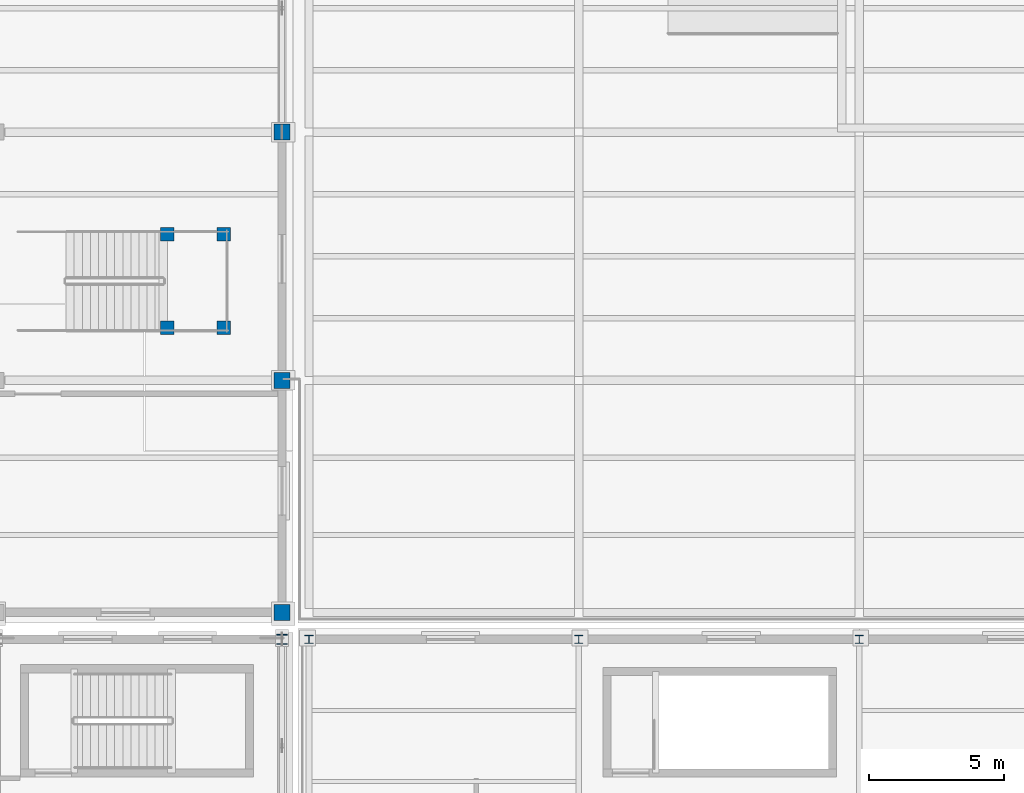
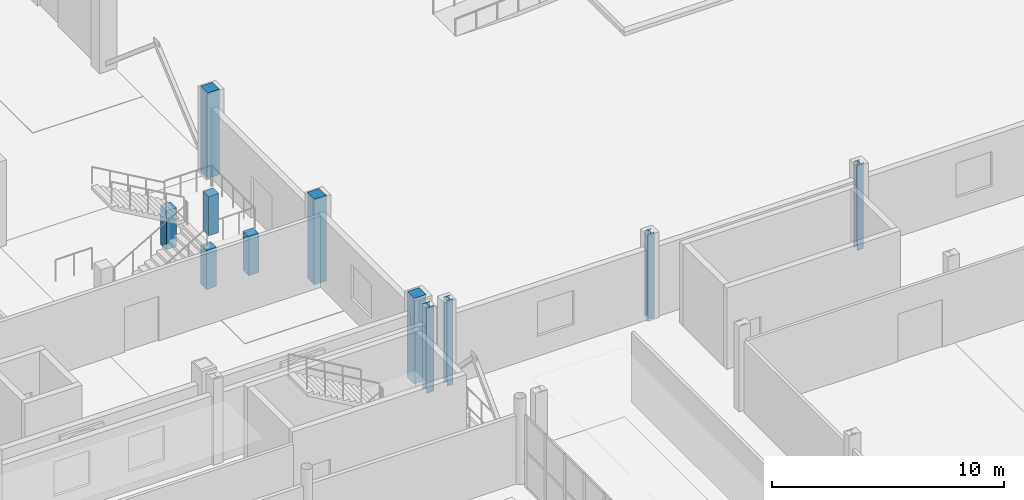
# One storey, part 14 of 156: 11 columns.
"""IFC4 building model written with IfcOpenShell, lengths in metres."""

from ifc_helpers import new_model, si_unit, direction, frame, origin, origin_2d, place, context, subcontext, project, spatial, rectangle, i_section, extrude, material, material_profile, profile_set, type_object, element, save


model = new_model("IFC4")

# Units and contexts
model_context = context("Model", 3, precision=1e-05, world=origin(), true_north=direction((0.0, 1.0)))
body_context = subcontext(model_context, "Body", "Model", "MODEL_VIEW")
ifc_project = project(units=[si_unit("LENGTHUNIT", "METRE"), si_unit("AREAUNIT", "SQUARE_METRE"), si_unit("VOLUMEUNIT", "CUBIC_METRE"), si_unit("PLANEANGLEUNIT", "RADIAN"), si_unit("MASSUNIT", "GRAM", prefix="KILO")], contexts=[model_context])

# Site, building, storey
site_placement = place(None, origin())
site = spatial("IfcSite", under=ifc_project, at=site_placement, CompositionType="ELEMENT")
building_placement = place(site_placement, origin())
building = spatial("IfcBuilding", under=site, at=building_placement, Name="Caurita Quay Ferry Terminal", CompositionType="ELEMENT")
storey_placement = place(building_placement, frame((0.0, 0.0, 5.39990234375)))
storey = spatial("IfcBuildingStorey", under=building, at=storey_placement, Name="L01", CompositionType="ELEMENT", Elevation=5.39990234375)

# Columns
ifc_material_1 = material(Name="Reinforced concrete C35/45", Category="concrete")
ifc_material_profile_1 = material_profile(ifc_material_1, rectangle(XDim=0.5, YDim=0.5, at=origin_2d()), Name="RC-COL-500X500")
ifc_profile_set_1 = profile_set([ifc_material_profile_1], Name="Reinforced concrete C35/45")
column_type_1 = type_object("IfcColumnType", Name="COL-RC-500", PredefinedType="COLUMN", material=ifc_profile_set_1)
for number, where, z_axis, x_axis, name in (
    (1, (127.550048828125, 82.14990234375, 0.0), (0.0, 0.0, 1.0), (1.0, 0.0, 0.0), "L01 Promenade Stair ST-13 Column SW"),
    (2, (127.550048828125, 85.610107421875, 0.0), (0.0, 0.0, 1.0), (1.0, 0.0, 0.0), "L01 Promenade Stair ST-13 Column NW"),
    (3, (129.64990234375, 82.14990234375, 0.0), (0.0, 0.0, 1.0), (1.0, 0.0, 0.0), "L01 Promenade Stair ST-13 Column SE"),
    (4, (129.64990234375, 85.610107421875, 0.0), (0.0, 0.0, 1.0), (1.0, 0.0, 0.0), "L01 Promenade Stair ST-13 Column NE"),
):
    element("IfcColumn", number, at=place(storey_placement, frame(where, z_axis=z_axis, x_axis=x_axis)), inside=storey, type_object=column_type_1, Name=name, PredefinedType="COLUMN", context=body_context, shape_type="SweptSolid", body=[
        extrude(rectangle(XDim=0.5, YDim=0.5, at=origin_2d()), origin(), (0.0, 0.0, 1.0), 2.050048828125),
    ])
ifc_material_profile_2 = material_profile(ifc_material_1, rectangle(XDim=0.60009765625, YDim=0.60009765625, at=origin_2d()), Name="RC-COL-600X600")
ifc_profile_set_2 = profile_set([ifc_material_profile_2], Name="Reinforced concrete C35/45")
column_type_2 = type_object("IfcColumnType", Name="COL-RC-600", PredefinedType="COLUMN", material=ifc_profile_set_2)
for number, where, z_axis, x_axis, name in (
    (5, (131.800048828125, 71.60009765625, 0.0), (0.0, 0.0, 1.0), (1.0, 0.0, 0.0), "L01 Column V4-14-L"),
    (6, (131.800048828125, 80.199951171875, 0.0), (0.0, 0.0, 1.0), (1.0, 0.0, 0.0), "L01 Column V4-14-M"),
    (7, (131.800048828125, 89.39990234375, 0.0), (0.0, 0.0, 1.0), (1.0, 0.0, 0.0), "L01 Column V4-14-N"),
):
    element("IfcColumn", number, at=place(storey_placement, frame(where, z_axis=z_axis, x_axis=x_axis)), inside=storey, type_object=column_type_2, Name=name, PredefinedType="COLUMN", context=body_context, shape_type="SweptSolid", body=[
        extrude(rectangle(XDim=0.60009765625, YDim=0.60009765625, at=origin_2d()), origin(), (0.0, 0.0, 1.0), 4.5),
    ])
ifc_material_2 = material(Name="Structural steel ASTM A992 Gr. 50", Category="steel")
ifc_material_profile_3 = material_profile(ifc_material_2, i_section(OverallWidth=0.373046875, OverallDepth=0.367919921875, WebThickness=0.014892578125, FlangeThickness=0.02392578125, at=origin_2d()), Name="W14X120")
ifc_profile_set_3 = profile_set([ifc_material_profile_3], Name="Structural steel ASTM A992 Gr. 50")
column_type_3 = type_object("IfcColumnType", Name="COL-STL-07", PredefinedType="COLUMN", material=ifc_profile_set_3)
column_placement = place(storey_placement, frame((131.800048828125, 70.60009765625, 0.0), z_axis=(0.0, 0.0, 1.0), x_axis=(1.0, 0.0, 0.0)))
element("IfcColumn", 8, at=column_placement, inside=storey, type_object=column_type_3, Name="L01 Column V2-NTH-14-K", PredefinedType="COLUMN", context=body_context, shape_type="SweptSolid", body=[
    extrude(i_section(OverallWidth=0.373046875, OverallDepth=0.367919921875, WebThickness=0.014892578125, FlangeThickness=0.02392578125, at=origin_2d()), origin(), (0.0, 0.0, 1.0), 4.5),
])
ifc_material_profile_4 = material_profile(ifc_material_2, i_section(OverallWidth=0.3046875, OverallDepth=0.307373046875, WebThickness=0.010009765625, FlangeThickness=0.015380859375, FilletRadius=0.01513671875, at=origin_2d()), Name="W12X65")
ifc_profile_set_4 = profile_set([ifc_material_profile_4], Name="Structural steel ASTM A992 Gr. 50")
column_type_4 = type_object("IfcColumnType", Name="COL-STL-11", PredefinedType="COLUMN", material=ifc_profile_set_4)
for number, where, z_axis, x_axis, name in (
    (9, (132.800048828125, 70.60009765625, 0.0), (0.0, 0.0, 1.0), (1.0, 0.0, 0.0), "L01 Column V3-HH-15-K"),
    (10, (142.800048828125, 70.60009765625, 0.0), (0.0, 0.0, 1.0), (1.0, 0.0, 0.0), "L01 Column V3-HH-16-K"),
    (11, (153.199951171875, 70.60009765625, 0.0), (0.0, 0.0, 1.0), (1.0, 0.0, 0.0), "L01 Column V3-HH-17-K"),
):
    element("IfcColumn", number, at=place(storey_placement, frame(where, z_axis=z_axis, x_axis=x_axis)), inside=storey, type_object=column_type_4, Name=name, PredefinedType="COLUMN", context=body_context, shape_type="SweptSolid", body=[
        extrude(i_section(OverallWidth=0.3046875, OverallDepth=0.307373046875, WebThickness=0.010009765625, FlangeThickness=0.015380859375, FilletRadius=0.01513671875, at=origin_2d()), origin(), (0.0, 0.0, 1.0), 4.5),
    ])

save(model, "model.ifc")
